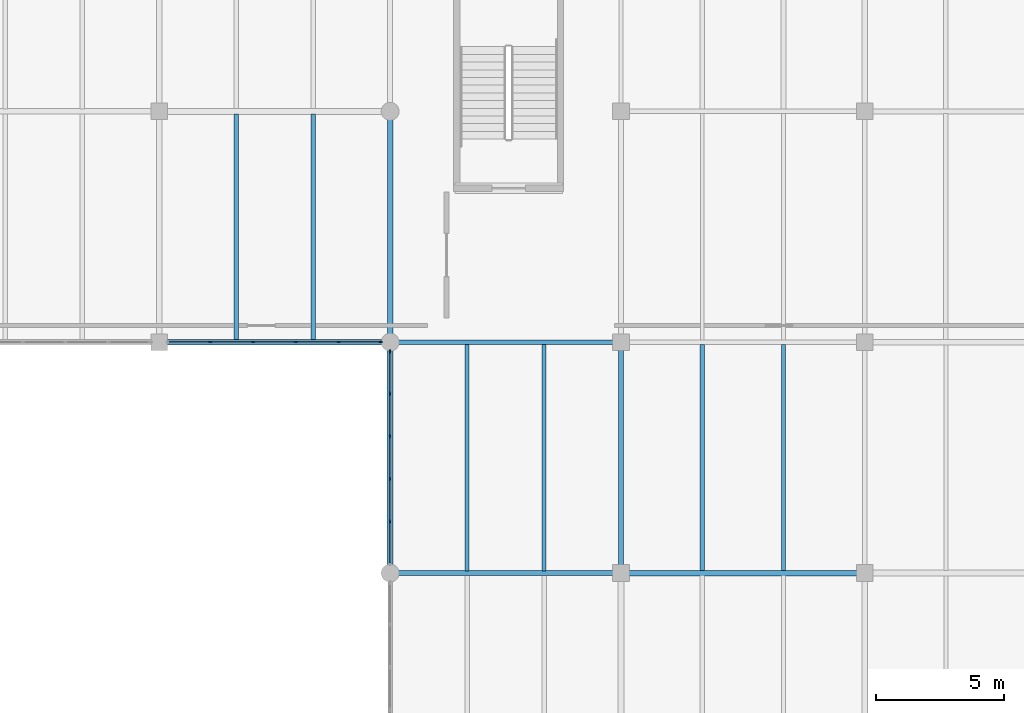
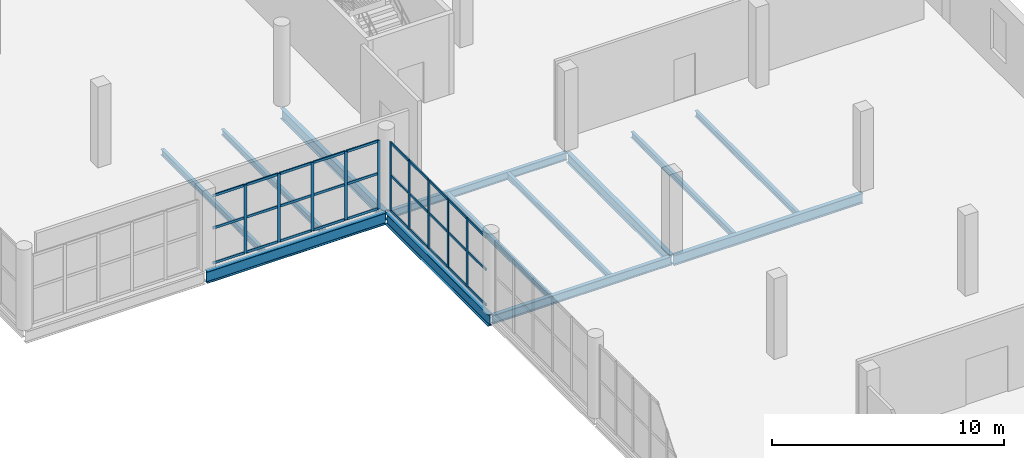
# One storey, part 47 of 85: 40 members, 13 beams, 2 elements without a shape of their own.
"""IFC4 building model written with IfcOpenShell, lengths in metres."""

from ifc_helpers import new_model, si_unit, direction, frame, origin, origin_2d, place, context, subcontext, project, spatial, rectangle, i_section, extrude, material, layer, layer_set, material_profile, profile_set, type_object, element, aggregate, save


model = new_model("IFC4")

# Units and contexts
model_context = context("Model", 3, precision=1e-05, world=origin(), true_north=direction((0.0, 1.0)))
body_context = subcontext(model_context, "Body", "Model", "MODEL_VIEW")
ifc_project = project(units=[si_unit("LENGTHUNIT", "METRE"), si_unit("AREAUNIT", "SQUARE_METRE"), si_unit("VOLUMEUNIT", "CUBIC_METRE"), si_unit("PLANEANGLEUNIT", "RADIAN"), si_unit("MASSUNIT", "GRAM", prefix="KILO")], contexts=[model_context])

# Site, building, storey
site_placement = place(None, origin())
site = spatial("IfcSite", under=ifc_project, at=site_placement, CompositionType="ELEMENT")
building_placement = place(site_placement, origin())
building = spatial("IfcBuilding", under=site, at=building_placement, Name="Marnock Terrace Opera House", CompositionType="ELEMENT")
storey_placement = place(building_placement, frame((0.0, 0.0, 10.199951171875)))
storey = spatial("IfcBuildingStorey", under=building, at=storey_placement, Name="L02", CompositionType="ELEMENT", Elevation=10.199951171875)

# Beams
ifc_material_1 = material(Name="Steel Grade 350 (AS/NZS 3679.1)", Category="steel")
ifc_material_profile_1 = material_profile(ifc_material_1, i_section(OverallWidth=0.177978515625, OverallDepth=0.402587890625, WebThickness=0.007568359375, FlangeThickness=0.010986328125, FilletRadius=0.011474609375, at=origin_2d()))
ifc_profile_set_1 = profile_set([ifc_material_profile_1], Name="Steel Grade 350 (AS/NZS 3679.1)")
beam_type_1 = type_object("IfcBeamType", Name="BM-GIRD-410", PredefinedType="BEAM", material=ifc_profile_set_1)
beam_1_placement = place(storey_placement, frame((136.050048828125, 66.0, -0.461181640625), z_axis=(1.0, 0.0, 0.0), x_axis=(0.0, 1.0, 0.0)))
element("IfcBeam", 1, at=beam_1_placement, inside=storey, type_object=beam_type_1, Name="L02 girder (136.0..145.0, Y=66.0)", PredefinedType="BEAM", context=body_context, shape_type="SweptSolid", body=[
    extrude(i_section(OverallWidth=0.177978515625, OverallDepth=0.402587890625, WebThickness=0.007568359375, FlangeThickness=0.010986328125, FilletRadius=0.011474609375, at=origin_2d()), origin(), (0.0, 0.0, 1.0), 8.89990234375),
])
ifc_material_profile_2 = material_profile(ifc_material_1, i_section(OverallWidth=0.19091796875, OverallDepth=0.46044921875, WebThickness=0.010009765625, FlangeThickness=0.01611328125, FilletRadius=0.011474609375, at=origin_2d()))
ifc_profile_set_2 = profile_set([ifc_material_profile_2], Name="Steel Grade 350 (AS/NZS 3679.1)")
beam_type_2 = type_object("IfcBeamType", Name="BM-GIRD-460A", PredefinedType="BEAM", material=ifc_profile_set_2)
beam_2_placement = place(storey_placement, frame((136.050048828125, 57.0, -0.490234375), z_axis=(1.0, 0.0, 0.0), x_axis=(0.0, 1.0, 0.0)))
element("IfcBeam", 2, at=beam_2_placement, inside=storey, type_object=beam_type_2, Name="L02 girder (136.0..145.0, Y=57.0)", PredefinedType="BEAM", context=body_context, shape_type="SweptSolid", body=[
    extrude(i_section(OverallWidth=0.19091796875, OverallDepth=0.46044921875, WebThickness=0.010009765625, FlangeThickness=0.01611328125, FilletRadius=0.011474609375, at=origin_2d()), origin(), (0.0, 0.0, 1.0), 8.89990234375),
])
ifc_material_profile_3 = material_profile(ifc_material_1, i_section(OverallWidth=0.208984375, OverallDepth=0.532958984375, WebThickness=0.01025390625, FlangeThickness=0.015625, FilletRadius=0.013916015625, at=origin_2d()))
ifc_profile_set_3 = profile_set([ifc_material_profile_3], Name="Steel Grade 350 (AS/NZS 3679.1)")
beam_type_3 = type_object("IfcBeamType", Name="BM-GIRD-530A", PredefinedType="BEAM", material=ifc_profile_set_3)
beam_3_placement = place(storey_placement, frame((145.050048828125, 57.0, -0.5263671875), z_axis=(1.0, 0.0, 0.0), x_axis=(0.0, 1.0, 0.0)))
element("IfcBeam", 3, at=beam_3_placement, inside=storey, type_object=beam_type_3, Name="L02 girder (145.0..154.5, Y=57.0)", PredefinedType="BEAM", context=body_context, shape_type="SweptSolid", body=[
    extrude(i_section(OverallWidth=0.208984375, OverallDepth=0.532958984375, WebThickness=0.01025390625, FlangeThickness=0.015625, FilletRadius=0.013916015625, at=origin_2d()), origin(), (0.0, 0.0, 1.0), 9.39990234375),
])
ifc_material_profile_4 = material_profile(ifc_material_1, i_section(OverallWidth=0.208984375, OverallDepth=0.528076171875, WebThickness=0.009521484375, FlangeThickness=0.01318359375, FilletRadius=0.013916015625, at=origin_2d()))
ifc_profile_set_4 = profile_set([ifc_material_profile_4], Name="Steel Grade 350 (AS/NZS 3679.1)")
beam_type_4 = type_object("IfcBeamType", Name="BM-GIRD-530B", PredefinedType="BEAM", material=ifc_profile_set_4)
for number, where, z_axis, x_axis, name in (
    (4, (136.0, 66.050048828125, -0.52392578125), (0.0, 1.0, 0.0), (-1.0, 0.0, 0.0), "L02 girder (X=136.0, 66.0..75.0)"),
    (5, (145.0, 57.050048828125, -0.52392578125), (0.0, 1.0, 0.0), (-1.0, 0.0, 0.0), "L02 girder (X=145.0, 57.0..66.0)"),
):
    element("IfcBeam", number, at=place(storey_placement, frame(where, z_axis=z_axis, x_axis=x_axis)), inside=storey, type_object=beam_type_4, Name=name, PredefinedType="BEAM", context=body_context, shape_type="SweptSolid", body=[
        extrude(i_section(OverallWidth=0.208984375, OverallDepth=0.528076171875, WebThickness=0.009521484375, FlangeThickness=0.01318359375, FilletRadius=0.013916015625, at=origin_2d()), origin(), (0.0, 0.0, 1.0), 8.89990234375),
    ])
ifc_material_profile_5 = material_profile(ifc_material_1, i_section(OverallWidth=0.22900390625, OverallDepth=0.611572265625, WebThickness=0.011962890625, FlangeThickness=0.01953125, FilletRadius=0.013916015625, at=origin_2d()))
ifc_profile_set_5 = profile_set([ifc_material_profile_5], Name="Steel Grade 350 (AS/NZS 3679.1)")
beam_type_5 = type_object("IfcBeamType", Name="BM-GIRD-610A", PredefinedType="BEAM", material=ifc_profile_set_5)
beam_4_placement = place(storey_placement, frame((127.050048828125, 66.0, -0.565673828125), z_axis=(1.0, 0.0, 0.0), x_axis=(0.0, 1.0, 0.0)))
element("IfcBeam", 6, at=beam_4_placement, inside=storey, type_object=beam_type_5, Name="L02 girder (127.0..136.0, Y=66.0)", PredefinedType="BEAM", context=body_context, shape_type="SweptSolid", body=[
    extrude(i_section(OverallWidth=0.22900390625, OverallDepth=0.611572265625, WebThickness=0.011962890625, FlangeThickness=0.01953125, FilletRadius=0.013916015625, at=origin_2d()), origin(), (0.0, 0.0, 1.0), 8.89990234375),
])
ifc_material_profile_6 = material_profile(ifc_material_1, i_section(OverallWidth=0.22802734375, OverallDepth=0.60205078125, WebThickness=0.010498046875, FlangeThickness=0.014892578125, FilletRadius=0.013916015625, at=origin_2d()))
ifc_profile_set_6 = profile_set([ifc_material_profile_6], Name="Steel Grade 350 (AS/NZS 3679.1)")
beam_type_6 = type_object("IfcBeamType", Name="BM-GIRD-610C", PredefinedType="BEAM", material=ifc_profile_set_6)
beam_5_placement = place(storey_placement, frame((136.0, 57.050048828125, -0.56103515625), z_axis=(0.0, 1.0, 0.0), x_axis=(-1.0, 0.0, 0.0)))
element("IfcBeam", 7, at=beam_5_placement, inside=storey, type_object=beam_type_6, Name="L02 girder (X=136.0, 57.0..66.0)", PredefinedType="BEAM", context=body_context, shape_type="SweptSolid", body=[
    extrude(i_section(OverallWidth=0.22802734375, OverallDepth=0.60205078125, WebThickness=0.010498046875, FlangeThickness=0.014892578125, FilletRadius=0.013916015625, at=origin_2d()), origin(), (0.0, 0.0, 1.0), 8.89990234375),
])
ifc_material_profile_7 = material_profile(ifc_material_1, i_section(OverallWidth=0.166015625, OverallDepth=0.30712890625, WebThickness=0.006591796875, FlangeThickness=0.01171875, FilletRadius=0.011474609375, at=origin_2d()))
ifc_profile_set_7 = profile_set([ifc_material_profile_7], Name="Steel Grade 350 (AS/NZS 3679.1)")
beam_type_7 = type_object("IfcBeamType", Name="BM-JOIST-310A", PredefinedType="JOIST", material=ifc_profile_set_7)
for number, where, z_axis, x_axis, name in (
    (8, (130.0, 66.109619140625, -0.41357421875), (0.0, 1.0, 0.0), (-1.0, 0.0, 0.0), "L02 secondary joist 14.8.1"),
    (9, (133.0, 66.109619140625, -0.41357421875), (0.0, 1.0, 0.0), (-1.0, 0.0, 0.0), "L02 secondary joist 14.8.2"),
):
    element("IfcBeam", number, at=place(storey_placement, frame(where, z_axis=z_axis, x_axis=x_axis)), inside=storey, type_object=beam_type_7, Name=name, PredefinedType="JOIST", context=body_context, shape_type="SweptSolid", body=[
        extrude(i_section(OverallWidth=0.166015625, OverallDepth=0.30712890625, WebThickness=0.006591796875, FlangeThickness=0.01171875, FilletRadius=0.011474609375, at=origin_2d()), origin(), (0.0, 0.0, 1.0), 8.781494140625),
    ])
for number, where, z_axis, x_axis, name in (
    (10, (139.0, 57.090576171875, -0.41357421875), (0.0, 1.0, 0.0), (-1.0, 0.0, 0.0), "L02 secondary joist 15.7.1"),
    (11, (142.0, 57.090576171875, -0.41357421875), (0.0, 1.0, 0.0), (-1.0, 0.0, 0.0), "L02 secondary joist 15.7.2"),
):
    element("IfcBeam", number, at=place(storey_placement, frame(where, z_axis=z_axis, x_axis=x_axis)), inside=storey, type_object=beam_type_7, Name=name, PredefinedType="JOIST", context=body_context, shape_type="SweptSolid", body=[
        extrude(i_section(OverallWidth=0.166015625, OverallDepth=0.30712890625, WebThickness=0.006591796875, FlangeThickness=0.01171875, FilletRadius=0.011474609375, at=origin_2d()), origin(), (0.0, 0.0, 1.0), 8.825439453125),
    ])
ifc_material_profile_8 = material_profile(ifc_material_1, i_section(OverallWidth=0.1650390625, OverallDepth=0.3037109375, WebThickness=0.006103515625, FlangeThickness=0.01025390625, FilletRadius=0.011474609375, at=origin_2d()))
ifc_profile_set_8 = profile_set([ifc_material_profile_8], Name="Steel Grade 350 (AS/NZS 3679.1)")
beam_type_8 = type_object("IfcBeamType", Name="BM-JOIST-310B", PredefinedType="JOIST", material=ifc_profile_set_8)
for number, where, z_axis, x_axis, name in (
    (12, (148.166748046875, 57.099609375, -0.411865234375), (0.0, 1.0, 0.0), (-1.0, 0.0, 0.0), "L02 secondary joist 16.7.1"),
    (13, (151.333251953125, 57.099609375, -0.411865234375), (0.0, 1.0, 0.0), (-1.0, 0.0, 0.0), "L02 secondary joist 16.7.2"),
):
    element("IfcBeam", number, at=place(storey_placement, frame(where, z_axis=z_axis, x_axis=x_axis)), inside=storey, type_object=beam_type_8, Name=name, PredefinedType="JOIST", context=body_context, shape_type="SweptSolid", body=[
        extrude(i_section(OverallWidth=0.1650390625, OverallDepth=0.3037109375, WebThickness=0.006103515625, FlangeThickness=0.01025390625, FilletRadius=0.011474609375, at=origin_2d()), origin(), (0.0, 0.0, 1.0), 8.809814453125),
    ])

# Curtain wall, members
ifc_material_2 = material(Name="Anodised architectural bronze aluminium framing", Category="aluminium")
ifc_layer = layer(ifc_material_2, 0.159912109375)
ifc_layer_set = layer_set([ifc_layer], Name="Anodised architectural bronze aluminium framing")
curtain_wall_type = type_object("IfcCurtainWallType", Name="CW-LOGGIA-86x42", PredefinedType="NOTDEFINED", material=ifc_layer_set)
curtain_wall_1_placement = place(storey_placement, origin())
curtain_wall_1 = element("IfcCurtainWall", 14, at=curtain_wall_1_placement, inside=storey, type_object=curtain_wall_type, Name="L02 glazed Beaux-Arts colonnade curtain wall CW-V5-L02-CE3", PredefinedType="NOTDEFINED")
ifc_material_profile_9 = material_profile(ifc_material_2, rectangle(XDim=0.06005859375, YDim=0.14990234375, at=origin_2d()))
ifc_profile_set_9 = profile_set([ifc_material_profile_9], Name="Anodised architectural bronze aluminium framing")
member_type_1 = type_object("IfcMemberType", Name="CWM-60x150", PredefinedType="MULLION", material=ifc_profile_set_9)
member_1_placement = place(storey_placement, frame((136.0, 59.007568359375, 0.0), z_axis=(0.0, 0.0, 1.0), x_axis=(-1.0, 0.0, 0.0)))
member_1 = element("IfcMember", 15, at=member_1_placement, type_object=member_type_1, Name="CW-66 mullion 2", PredefinedType="MULLION", context=body_context, shape_type="SweptSolid", body=[
    extrude(rectangle(XDim=0.06005859375, YDim=0.14990234375, at=origin_2d()), origin(), (0.0, 0.0, 1.0), 3.608154296875),
])
member_2_placement = place(storey_placement, frame((136.0, 60.669189453125, 0.0), z_axis=(0.0, 0.0, 1.0), x_axis=(-1.0, 0.0, 0.0)))
member_2 = element("IfcMember", 16, at=member_2_placement, type_object=member_type_1, Name="CW-66 mullion 3", PredefinedType="MULLION", context=body_context, shape_type="SweptSolid", body=[
    extrude(rectangle(XDim=0.06005859375, YDim=0.14990234375, at=origin_2d()), origin(), (0.0, 0.0, 1.0), 3.608154296875),
])
member_3_placement = place(storey_placement, frame((136.0, 62.330810546875, 0.0), z_axis=(0.0, 0.0, 1.0), x_axis=(-1.0, 0.0, 0.0)))
member_3 = element("IfcMember", 17, at=member_3_placement, type_object=member_type_1, Name="CW-66 mullion 4", PredefinedType="MULLION", context=body_context, shape_type="SweptSolid", body=[
    extrude(rectangle(XDim=0.06005859375, YDim=0.14990234375, at=origin_2d()), origin(), (0.0, 0.0, 1.0), 3.608154296875),
])
member_4_placement = place(storey_placement, frame((136.0, 63.992431640625, 0.0), z_axis=(0.0, 0.0, 1.0), x_axis=(-1.0, 0.0, 0.0)))
member_4 = element("IfcMember", 18, at=member_4_placement, type_object=member_type_1, Name="CW-66 mullion 5", PredefinedType="MULLION", context=body_context, shape_type="SweptSolid", body=[
    extrude(rectangle(XDim=0.06005859375, YDim=0.14990234375, at=origin_2d()), origin(), (0.0, 0.0, 1.0), 3.608154296875),
])
member_5_placement = place(storey_placement, frame((136.0, 65.6240234375, 0.0), z_axis=(0.0, 0.0, 1.0), x_axis=(-1.0, 0.0, 0.0)))
member_5 = element("IfcMember", 19, at=member_5_placement, type_object=member_type_1, Name="CW-66 mullion 6", PredefinedType="MULLION", context=body_context, shape_type="SweptSolid", body=[
    extrude(rectangle(XDim=0.06005859375, YDim=0.14990234375, at=origin_2d()), origin(), (0.0, 0.0, 1.0), 3.608154296875),
])

curtain_wall_2_placement = place(storey_placement, origin())
curtain_wall_2 = element("IfcCurtainWall", 20, at=curtain_wall_2_placement, inside=storey, type_object=curtain_wall_type, Name="L02 glazed Beaux-Arts colonnade curtain wall CW-V5-L02-CN2", PredefinedType="NOTDEFINED")
member_6_placement = place(storey_placement, frame((128.987548828125, 66.0, 0.0), z_axis=(0.0, 0.0, 1.0), x_axis=(0.0, 1.0, 0.0)))
member_6 = element("IfcMember", 21, at=member_6_placement, type_object=member_type_1, Name="CW-66 mullion 2", PredefinedType="MULLION", context=body_context, shape_type="SweptSolid", body=[
    extrude(rectangle(XDim=0.06005859375, YDim=0.14990234375, at=origin_2d()), origin(), (0.0, 0.0, 1.0), 3.598388671875),
])
member_7_placement = place(storey_placement, frame((130.654296875, 66.0, 0.0), z_axis=(0.0, 0.0, 1.0), x_axis=(0.0, 1.0, 0.0)))
member_7 = element("IfcMember", 22, at=member_7_placement, type_object=member_type_1, Name="CW-66 mullion 3", PredefinedType="MULLION", context=body_context, shape_type="SweptSolid", body=[
    extrude(rectangle(XDim=0.06005859375, YDim=0.14990234375, at=origin_2d()), origin(), (0.0, 0.0, 1.0), 3.598388671875),
])
member_8_placement = place(storey_placement, frame((132.32080078125, 66.0, 0.0), z_axis=(0.0, 0.0, 1.0), x_axis=(0.0, 1.0, 0.0)))
member_8 = element("IfcMember", 23, at=member_8_placement, type_object=member_type_1, Name="CW-66 mullion 4", PredefinedType="MULLION", context=body_context, shape_type="SweptSolid", body=[
    extrude(rectangle(XDim=0.06005859375, YDim=0.14990234375, at=origin_2d()), origin(), (0.0, 0.0, 1.0), 3.598388671875),
])
member_9_placement = place(storey_placement, frame((133.9873046875, 66.0, 0.0), z_axis=(0.0, 0.0, 1.0), x_axis=(0.0, 1.0, 0.0)))
member_9 = element("IfcMember", 24, at=member_9_placement, type_object=member_type_1, Name="CW-66 mullion 5", PredefinedType="MULLION", context=body_context, shape_type="SweptSolid", body=[
    extrude(rectangle(XDim=0.06005859375, YDim=0.14990234375, at=origin_2d()), origin(), (0.0, 0.0, 1.0), 3.598388671875),
])
member_10_placement = place(storey_placement, frame((135.6240234375, 66.0, 0.0), z_axis=(0.0, 0.0, 1.0), x_axis=(0.0, 1.0, 0.0)))
member_10 = element("IfcMember", 25, at=member_10_placement, type_object=member_type_1, Name="CW-66 mullion 6", PredefinedType="MULLION", context=body_context, shape_type="SweptSolid", body=[
    extrude(rectangle(XDim=0.06005859375, YDim=0.14990234375, at=origin_2d()), origin(), (0.0, 0.0, 1.0), 3.598388671875),
])

# Member
ifc_material_profile_10 = material_profile(ifc_material_2, rectangle(XDim=0.06005859375, YDim=0.1298828125, at=origin_2d()))
ifc_profile_set_10 = profile_set([ifc_material_profile_10], Name="Anodised architectural bronze aluminium framing")
member_type_2 = type_object("IfcMemberType", Name="CWT-60x130", PredefinedType="USERDEFINED", material=ifc_profile_set_10)
member_11_placement = place(storey_placement, frame((136.0, 57.406005859375, 0.030029296875), z_axis=(0.0, 1.0, 0.0), x_axis=(-1.0, 0.0, 0.0)))
member_11 = element("IfcMember", 26, at=member_11_placement, type_object=member_type_2, Name="CW-66 transom 1.1", ObjectType="TRANSOM", PredefinedType="USERDEFINED", context=body_context, shape_type="SweptSolid", body=[
    extrude(rectangle(XDim=0.06005859375, YDim=0.1298828125, at=origin_2d()), origin(), (0.0, 0.0, 1.0), 1.571533203125),
])

member_12_placement = place(storey_placement, frame((136.0, 57.406005859375, 1.876220703125), z_axis=(0.0, 1.0, 0.0), x_axis=(-1.0, 0.0, 0.0)))
member_12 = element("IfcMember", 27, at=member_12_placement, type_object=member_type_2, Name="CW-66 transom 1.2", ObjectType="TRANSOM", PredefinedType="USERDEFINED", context=body_context, shape_type="SweptSolid", body=[
    extrude(rectangle(XDim=0.06005859375, YDim=0.1298828125, at=origin_2d()), origin(), (0.0, 0.0, 1.0), 1.571533203125),
])

member_13_placement = place(storey_placement, frame((136.0, 57.406005859375, 3.578125), z_axis=(0.0, 1.0, 0.0), x_axis=(-1.0, 0.0, 0.0)))
member_13 = element("IfcMember", 28, at=member_13_placement, type_object=member_type_2, Name="CW-66 transom 1.3", ObjectType="TRANSOM", PredefinedType="USERDEFINED", context=body_context, shape_type="SweptSolid", body=[
    extrude(rectangle(XDim=0.06005859375, YDim=0.1298828125, at=origin_2d()), origin(), (0.0, 0.0, 1.0), 1.571533203125),
])

member_14_placement = place(storey_placement, frame((136.0, 59.03759765625, 0.030029296875), z_axis=(0.0, 1.0, 0.0), x_axis=(-1.0, 0.0, 0.0)))
member_14 = element("IfcMember", 29, at=member_14_placement, type_object=member_type_2, Name="CW-66 transom 2.1", ObjectType="TRANSOM", PredefinedType="USERDEFINED", context=body_context, shape_type="SweptSolid", body=[
    extrude(rectangle(XDim=0.06005859375, YDim=0.1298828125, at=origin_2d()), origin(), (0.0, 0.0, 1.0), 1.6015625),
])

member_15_placement = place(storey_placement, frame((136.0, 59.03759765625, 1.876220703125), z_axis=(0.0, 1.0, 0.0), x_axis=(-1.0, 0.0, 0.0)))
member_15 = element("IfcMember", 30, at=member_15_placement, type_object=member_type_2, Name="CW-66 transom 2.2", ObjectType="TRANSOM", PredefinedType="USERDEFINED", context=body_context, shape_type="SweptSolid", body=[
    extrude(rectangle(XDim=0.06005859375, YDim=0.1298828125, at=origin_2d()), origin(), (0.0, 0.0, 1.0), 1.6015625),
])

member_16_placement = place(storey_placement, frame((136.0, 59.03759765625, 3.578125), z_axis=(0.0, 1.0, 0.0), x_axis=(-1.0, 0.0, 0.0)))
member_16 = element("IfcMember", 31, at=member_16_placement, type_object=member_type_2, Name="CW-66 transom 2.3", ObjectType="TRANSOM", PredefinedType="USERDEFINED", context=body_context, shape_type="SweptSolid", body=[
    extrude(rectangle(XDim=0.06005859375, YDim=0.1298828125, at=origin_2d()), origin(), (0.0, 0.0, 1.0), 1.6015625),
])

member_17_placement = place(storey_placement, frame((136.0, 60.69921875, 0.030029296875), z_axis=(0.0, 1.0, 0.0), x_axis=(-1.0, 0.0, 0.0)))
member_17 = element("IfcMember", 32, at=member_17_placement, type_object=member_type_2, Name="CW-66 transom 3.1", ObjectType="TRANSOM", PredefinedType="USERDEFINED", context=body_context, shape_type="SweptSolid", body=[
    extrude(rectangle(XDim=0.06005859375, YDim=0.1298828125, at=origin_2d()), origin(), (0.0, 0.0, 1.0), 1.6015625),
])

member_18_placement = place(storey_placement, frame((136.0, 60.69921875, 1.876220703125), z_axis=(0.0, 1.0, 0.0), x_axis=(-1.0, 0.0, 0.0)))
member_18 = element("IfcMember", 33, at=member_18_placement, type_object=member_type_2, Name="CW-66 transom 3.2", ObjectType="TRANSOM", PredefinedType="USERDEFINED", context=body_context, shape_type="SweptSolid", body=[
    extrude(rectangle(XDim=0.06005859375, YDim=0.1298828125, at=origin_2d()), origin(), (0.0, 0.0, 1.0), 1.6015625),
])

member_19_placement = place(storey_placement, frame((136.0, 60.69921875, 3.578125), z_axis=(0.0, 1.0, 0.0), x_axis=(-1.0, 0.0, 0.0)))
member_19 = element("IfcMember", 34, at=member_19_placement, type_object=member_type_2, Name="CW-66 transom 3.3", ObjectType="TRANSOM", PredefinedType="USERDEFINED", context=body_context, shape_type="SweptSolid", body=[
    extrude(rectangle(XDim=0.06005859375, YDim=0.1298828125, at=origin_2d()), origin(), (0.0, 0.0, 1.0), 1.6015625),
])

member_20_placement = place(storey_placement, frame((136.0, 62.36083984375, 0.030029296875), z_axis=(0.0, 1.0, 0.0), x_axis=(-1.0, 0.0, 0.0)))
member_20 = element("IfcMember", 35, at=member_20_placement, type_object=member_type_2, Name="CW-66 transom 4.1", ObjectType="TRANSOM", PredefinedType="USERDEFINED", context=body_context, shape_type="SweptSolid", body=[
    extrude(rectangle(XDim=0.06005859375, YDim=0.1298828125, at=origin_2d()), origin(), (0.0, 0.0, 1.0), 1.6015625),
])

member_21_placement = place(storey_placement, frame((136.0, 62.36083984375, 1.876220703125), z_axis=(0.0, 1.0, 0.0), x_axis=(-1.0, 0.0, 0.0)))
member_21 = element("IfcMember", 36, at=member_21_placement, type_object=member_type_2, Name="CW-66 transom 4.2", ObjectType="TRANSOM", PredefinedType="USERDEFINED", context=body_context, shape_type="SweptSolid", body=[
    extrude(rectangle(XDim=0.06005859375, YDim=0.1298828125, at=origin_2d()), origin(), (0.0, 0.0, 1.0), 1.6015625),
])

member_22_placement = place(storey_placement, frame((136.0, 62.36083984375, 3.578125), z_axis=(0.0, 1.0, 0.0), x_axis=(-1.0, 0.0, 0.0)))
member_22 = element("IfcMember", 37, at=member_22_placement, type_object=member_type_2, Name="CW-66 transom 4.3", ObjectType="TRANSOM", PredefinedType="USERDEFINED", context=body_context, shape_type="SweptSolid", body=[
    extrude(rectangle(XDim=0.06005859375, YDim=0.1298828125, at=origin_2d()), origin(), (0.0, 0.0, 1.0), 1.6015625),
])

member_23_placement = place(storey_placement, frame((136.0, 64.0224609375, 0.030029296875), z_axis=(0.0, 1.0, 0.0), x_axis=(-1.0, 0.0, 0.0)))
member_23 = element("IfcMember", 38, at=member_23_placement, type_object=member_type_2, Name="CW-66 transom 5.1", ObjectType="TRANSOM", PredefinedType="USERDEFINED", context=body_context, shape_type="SweptSolid", body=[
    extrude(rectangle(XDim=0.06005859375, YDim=0.1298828125, at=origin_2d()), origin(), (0.0, 0.0, 1.0), 1.571533203125),
])

member_24_placement = place(storey_placement, frame((136.0, 64.0224609375, 1.876220703125), z_axis=(0.0, 1.0, 0.0), x_axis=(-1.0, 0.0, 0.0)))
member_24 = element("IfcMember", 39, at=member_24_placement, type_object=member_type_2, Name="CW-66 transom 5.2", ObjectType="TRANSOM", PredefinedType="USERDEFINED", context=body_context, shape_type="SweptSolid", body=[
    extrude(rectangle(XDim=0.06005859375, YDim=0.1298828125, at=origin_2d()), origin(), (0.0, 0.0, 1.0), 1.571533203125),
])

member_25_placement = place(storey_placement, frame((136.0, 64.0224609375, 3.578125), z_axis=(0.0, 1.0, 0.0), x_axis=(-1.0, 0.0, 0.0)))
member_25 = element("IfcMember", 40, at=member_25_placement, type_object=member_type_2, Name="CW-66 transom 5.3", ObjectType="TRANSOM", PredefinedType="USERDEFINED", context=body_context, shape_type="SweptSolid", body=[
    extrude(rectangle(XDim=0.06005859375, YDim=0.1298828125, at=origin_2d()), origin(), (0.0, 0.0, 1.0), 1.571533203125),
])

aggregate(curtain_wall_1, [member_1, member_2, member_3, member_4, member_5, member_11, member_12, member_13, member_14, member_15, member_16, member_17, member_18, member_19, member_20, member_21, member_22, member_23, member_24, member_25])

member_26_placement = place(storey_placement, frame((127.381103515625, 66.0, 0.030029296875), z_axis=(1.0, 0.0, 0.0), x_axis=(0.0, 1.0, 0.0)))
member_26 = element("IfcMember", 41, at=member_26_placement, type_object=member_type_2, Name="CW-66 transom 1.1", ObjectType="TRANSOM", PredefinedType="USERDEFINED", context=body_context, shape_type="SweptSolid", body=[
    extrude(rectangle(XDim=0.06005859375, YDim=0.1298828125, at=origin_2d()), origin(), (0.0, 0.0, 1.0), 1.576416015625),
])

member_27_placement = place(storey_placement, frame((127.381103515625, 66.0, 1.871337890625), z_axis=(1.0, 0.0, 0.0), x_axis=(0.0, 1.0, 0.0)))
member_27 = element("IfcMember", 42, at=member_27_placement, type_object=member_type_2, Name="CW-66 transom 1.2", ObjectType="TRANSOM", PredefinedType="USERDEFINED", context=body_context, shape_type="SweptSolid", body=[
    extrude(rectangle(XDim=0.06005859375, YDim=0.1298828125, at=origin_2d()), origin(), (0.0, 0.0, 1.0), 1.576416015625),
])

member_28_placement = place(storey_placement, frame((127.381103515625, 66.0, 3.568359375), z_axis=(1.0, 0.0, 0.0), x_axis=(0.0, 1.0, 0.0)))
member_28 = element("IfcMember", 43, at=member_28_placement, type_object=member_type_2, Name="CW-66 transom 1.3", ObjectType="TRANSOM", PredefinedType="USERDEFINED", context=body_context, shape_type="SweptSolid", body=[
    extrude(rectangle(XDim=0.06005859375, YDim=0.1298828125, at=origin_2d()), origin(), (0.0, 0.0, 1.0), 1.576416015625),
])

member_29_placement = place(storey_placement, frame((129.017578125, 66.0, 0.030029296875), z_axis=(1.0, 0.0, 0.0), x_axis=(0.0, 1.0, 0.0)))
member_29 = element("IfcMember", 44, at=member_29_placement, type_object=member_type_2, Name="CW-66 transom 2.1", ObjectType="TRANSOM", PredefinedType="USERDEFINED", context=body_context, shape_type="SweptSolid", body=[
    extrude(rectangle(XDim=0.06005859375, YDim=0.1298828125, at=origin_2d()), origin(), (0.0, 0.0, 1.0), 1.606689453125),
])

member_30_placement = place(storey_placement, frame((129.017578125, 66.0, 1.871337890625), z_axis=(1.0, 0.0, 0.0), x_axis=(0.0, 1.0, 0.0)))
member_30 = element("IfcMember", 45, at=member_30_placement, type_object=member_type_2, Name="CW-66 transom 2.2", ObjectType="TRANSOM", PredefinedType="USERDEFINED", context=body_context, shape_type="SweptSolid", body=[
    extrude(rectangle(XDim=0.06005859375, YDim=0.1298828125, at=origin_2d()), origin(), (0.0, 0.0, 1.0), 1.606689453125),
])

member_31_placement = place(storey_placement, frame((129.017578125, 66.0, 3.568359375), z_axis=(1.0, 0.0, 0.0), x_axis=(0.0, 1.0, 0.0)))
member_31 = element("IfcMember", 46, at=member_31_placement, type_object=member_type_2, Name="CW-66 transom 2.3", ObjectType="TRANSOM", PredefinedType="USERDEFINED", context=body_context, shape_type="SweptSolid", body=[
    extrude(rectangle(XDim=0.06005859375, YDim=0.1298828125, at=origin_2d()), origin(), (0.0, 0.0, 1.0), 1.606689453125),
])

member_32_placement = place(storey_placement, frame((130.68408203125, 66.0, 0.030029296875), z_axis=(1.0, 0.0, 0.0), x_axis=(0.0, 1.0, 0.0)))
member_32 = element("IfcMember", 47, at=member_32_placement, type_object=member_type_2, Name="CW-66 transom 3.1", ObjectType="TRANSOM", PredefinedType="USERDEFINED", context=body_context, shape_type="SweptSolid", body=[
    extrude(rectangle(XDim=0.06005859375, YDim=0.1298828125, at=origin_2d()), origin(), (0.0, 0.0, 1.0), 1.606689453125),
])

member_33_placement = place(storey_placement, frame((130.68408203125, 66.0, 1.871337890625), z_axis=(1.0, 0.0, 0.0), x_axis=(0.0, 1.0, 0.0)))
member_33 = element("IfcMember", 48, at=member_33_placement, type_object=member_type_2, Name="CW-66 transom 3.2", ObjectType="TRANSOM", PredefinedType="USERDEFINED", context=body_context, shape_type="SweptSolid", body=[
    extrude(rectangle(XDim=0.06005859375, YDim=0.1298828125, at=origin_2d()), origin(), (0.0, 0.0, 1.0), 1.606689453125),
])

member_34_placement = place(storey_placement, frame((130.68408203125, 66.0, 3.568359375), z_axis=(1.0, 0.0, 0.0), x_axis=(0.0, 1.0, 0.0)))
member_34 = element("IfcMember", 49, at=member_34_placement, type_object=member_type_2, Name="CW-66 transom 3.3", ObjectType="TRANSOM", PredefinedType="USERDEFINED", context=body_context, shape_type="SweptSolid", body=[
    extrude(rectangle(XDim=0.06005859375, YDim=0.1298828125, at=origin_2d()), origin(), (0.0, 0.0, 1.0), 1.606689453125),
])

member_35_placement = place(storey_placement, frame((132.350830078125, 66.0, 0.030029296875), z_axis=(1.0, 0.0, 0.0), x_axis=(0.0, 1.0, 0.0)))
member_35 = element("IfcMember", 50, at=member_35_placement, type_object=member_type_2, Name="CW-66 transom 4.1", ObjectType="TRANSOM", PredefinedType="USERDEFINED", context=body_context, shape_type="SweptSolid", body=[
    extrude(rectangle(XDim=0.06005859375, YDim=0.1298828125, at=origin_2d()), origin(), (0.0, 0.0, 1.0), 1.606689453125),
])

member_36_placement = place(storey_placement, frame((132.350830078125, 66.0, 1.871337890625), z_axis=(1.0, 0.0, 0.0), x_axis=(0.0, 1.0, 0.0)))
member_36 = element("IfcMember", 51, at=member_36_placement, type_object=member_type_2, Name="CW-66 transom 4.2", ObjectType="TRANSOM", PredefinedType="USERDEFINED", context=body_context, shape_type="SweptSolid", body=[
    extrude(rectangle(XDim=0.06005859375, YDim=0.1298828125, at=origin_2d()), origin(), (0.0, 0.0, 1.0), 1.606689453125),
])

member_37_placement = place(storey_placement, frame((132.350830078125, 66.0, 3.568359375), z_axis=(1.0, 0.0, 0.0), x_axis=(0.0, 1.0, 0.0)))
member_37 = element("IfcMember", 52, at=member_37_placement, type_object=member_type_2, Name="CW-66 transom 4.3", ObjectType="TRANSOM", PredefinedType="USERDEFINED", context=body_context, shape_type="SweptSolid", body=[
    extrude(rectangle(XDim=0.06005859375, YDim=0.1298828125, at=origin_2d()), origin(), (0.0, 0.0, 1.0), 1.606689453125),
])

member_38_placement = place(storey_placement, frame((134.017333984375, 66.0, 0.030029296875), z_axis=(1.0, 0.0, 0.0), x_axis=(0.0, 1.0, 0.0)))
member_38 = element("IfcMember", 53, at=member_38_placement, type_object=member_type_2, Name="CW-66 transom 5.1", ObjectType="TRANSOM", PredefinedType="USERDEFINED", context=body_context, shape_type="SweptSolid", body=[
    extrude(rectangle(XDim=0.06005859375, YDim=0.1298828125, at=origin_2d()), origin(), (0.0, 0.0, 1.0), 1.57666015625),
])

member_39_placement = place(storey_placement, frame((134.017333984375, 66.0, 1.871337890625), z_axis=(1.0, 0.0, 0.0), x_axis=(0.0, 1.0, 0.0)))
member_39 = element("IfcMember", 54, at=member_39_placement, type_object=member_type_2, Name="CW-66 transom 5.2", ObjectType="TRANSOM", PredefinedType="USERDEFINED", context=body_context, shape_type="SweptSolid", body=[
    extrude(rectangle(XDim=0.06005859375, YDim=0.1298828125, at=origin_2d()), origin(), (0.0, 0.0, 1.0), 1.57666015625),
])

member_40_placement = place(storey_placement, frame((134.017333984375, 66.0, 3.568359375), z_axis=(1.0, 0.0, 0.0), x_axis=(0.0, 1.0, 0.0)))
member_40 = element("IfcMember", 55, at=member_40_placement, type_object=member_type_2, Name="CW-66 transom 5.3", ObjectType="TRANSOM", PredefinedType="USERDEFINED", context=body_context, shape_type="SweptSolid", body=[
    extrude(rectangle(XDim=0.06005859375, YDim=0.1298828125, at=origin_2d()), origin(), (0.0, 0.0, 1.0), 1.57666015625),
])

aggregate(curtain_wall_2, [member_6, member_7, member_8, member_9, member_10, member_26, member_27, member_28, member_29, member_30, member_31, member_32, member_33, member_34, member_35, member_36, member_37, member_38, member_39, member_40])

save(model, "model.ifc")
